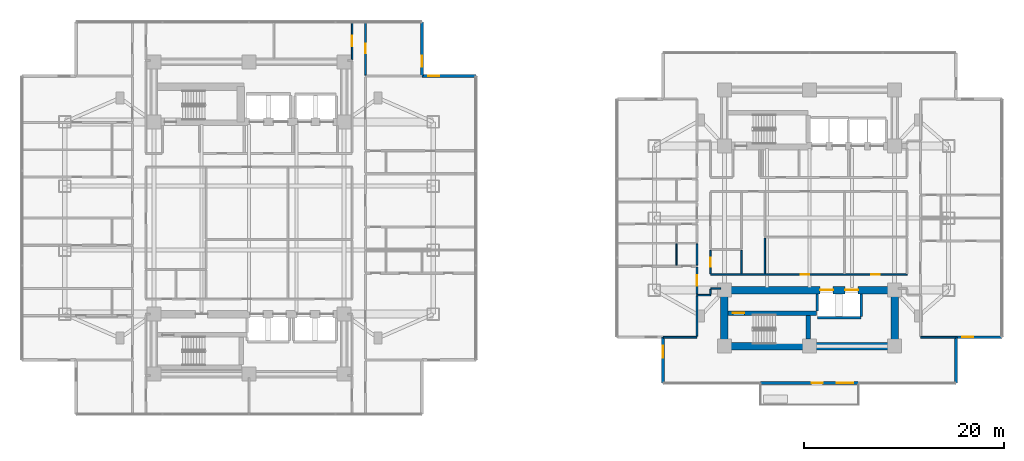
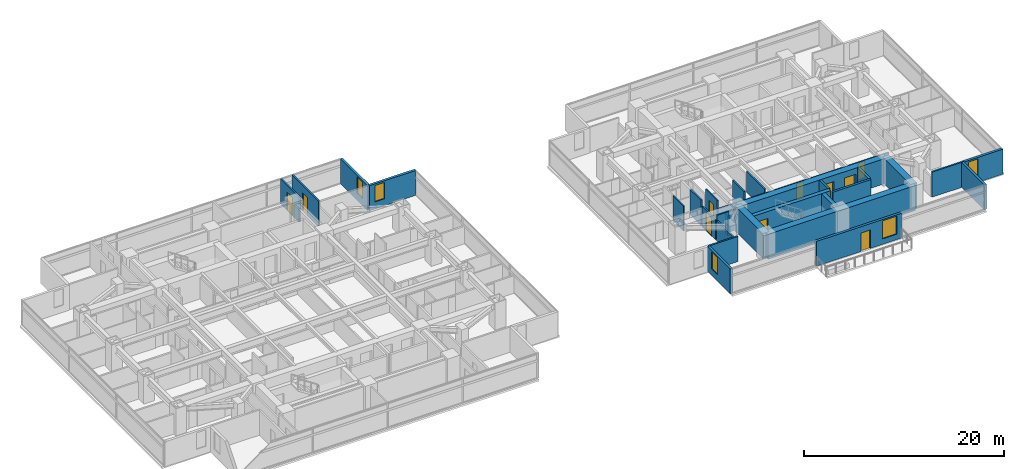
# One storey, part 18 of 27: 30 walls, 10 doors, 5 windows, 15 openings.
"""IFC4 building model written with IfcOpenShell, lengths in metres."""

from ifc_helpers import new_model, si_unit, direction, frame, frame_2d, origin, place, context, subcontext, project, spatial, rectangle, extrude, material, layer, layer_set, type_object, element, fill, save


model = new_model("IFC4")

# Units and contexts
model_context = context("Model", 3, precision=1e-05, world=origin(), true_north=direction((0.0, 1.0)))
body_context = subcontext(model_context, "Body", "Model", "MODEL_VIEW")
ifc_project = project(units=[si_unit("LENGTHUNIT", "METRE"), si_unit("AREAUNIT", "SQUARE_METRE"), si_unit("VOLUMEUNIT", "CUBIC_METRE"), si_unit("PLANEANGLEUNIT", "RADIAN"), si_unit("MASSUNIT", "GRAM", prefix="KILO")], contexts=[model_context])

# Site, building, storey
site_placement = place(None, origin())
site = spatial("IfcSite", under=ifc_project, at=site_placement, CompositionType="ELEMENT")
building_placement = place(site_placement, origin())
building = spatial("IfcBuilding", under=site, at=building_placement, Name="Mirazonda Arch Towers", CompositionType="ELEMENT")
storey_placement = place(building_placement, frame((0.0, 0.0, 42.199951171875)))
storey = spatial("IfcBuildingStorey", under=building, at=storey_placement, Name="L11", CompositionType="ELEMENT", Elevation=42.199951171875)

# Wall, opening, door
ifc_material_1 = material(Name="Concrete C50/60", Category="concrete")
ifc_layer_1 = layer(ifc_material_1, 0.449951171875, Name="WALL-CORE-450")
ifc_layer_set_1 = layer_set([ifc_layer_1], Name="Concrete C50/60")
wall_type_1 = type_object("IfcWallType", Name="WALL-CORE-450", PredefinedType="SHEAR", material=ifc_layer_set_1)
wall_1_placement = place(storey_placement, frame((68.3701171875, 18.5, 0.0), z_axis=(0.0, 0.0, 1.0), x_axis=(1.0, 0.0, 0.0)))
wall_1 = element("IfcWall", 1, at=wall_1_placement, inside=storey, type_object=wall_type_1, Name="L11 Stair Core Shear Wall 015", PredefinedType="SHEAR", context=body_context, shape_type="SweptSolid", body=[
    extrude(rectangle(XDim=8.849853515625, YDim=0.449951171875, at=frame_2d((4.4248046875, 0.0))), origin(), (0.0, 0.0, 1.0), 3.06005859375),
])
opening_1_placement = place(wall_1_placement, frame((0.469970703125, 0.0, 0.0)))
opening_1 = element("IfcOpeningElement", 2, at=opening_1_placement, cuts=wall_1, Name="Opening DR-135", PredefinedType="OPENING", context=body_context, shape_type="SweptSolid", body=[
    extrude(rectangle(XDim=1.14990234375, YDim=2.199951171875, at=frame_2d((0.574951171875, 1.10009765625))), frame((0.0, 0.23486328125, 0.0), z_axis=(0.0, -1.0, 0.0), x_axis=(1.0, 0.0, 0.0)), (0.0, 0.0, 1.0), 0.469970703125),
])
ifc_material_2 = material(Name="Architectural Brushed Steel S355", Category="steel")
door_type_1 = type_object("IfcDoorType", Name="DOOR-STAIR-FD90-1150", OperationType="NOTDEFINED", PredefinedType="DOOR", material=ifc_material_2)
door_1_placement = place(opening_1_placement, origin())
door_1 = element("IfcDoor", 3, at=door_1_placement, inside=storey, type_object=door_type_1, Name="L11 East Protected Stair South Door", OperationType="SINGLE_SWING_LEFT", OverallHeight=2.199951171875, OverallWidth=1.14990234375, PredefinedType="DOOR", context=body_context, shape_type="SweptSolid", body=[
    extrude(rectangle(XDim=1.14990234375, YDim=2.199951171875, at=frame_2d((0.574951171875, 1.10009765625))), frame((0.0, 0.02490234375, 0.0), z_axis=(0.0, -1.0, 0.0), x_axis=(1.0, 0.0, 0.0)), (0.0, 0.0, 1.0), 0.050048828125),
])
fill(opening_1, door_1)

# Walls
wall_2_placement = place(storey_placement, frame((76.360107421875, 15.9150390625, 0.0), z_axis=(0.0, 0.0, 1.0), x_axis=(0.0, 1.0, 0.0)))
element("IfcWall", 4, at=wall_2_placement, inside=storey, type_object=wall_type_1, Name="L11 Stair Core Shear Wall 148", PredefinedType="SHEAR", context=body_context, shape_type="SweptSolid", body=[
    extrude(rectangle(XDim=2.349853515625, YDim=0.449951171875, at=frame_2d((1.1748046875, 0.0))), origin(), (0.0, 0.0, 1.0), 3.06005859375),
])
ifc_material_3 = material(Name="Concrete C60/75", Category="concrete")
ifc_layer_2 = layer(ifc_material_3, 0.75, Name="WALL-CORE-750")
ifc_layer_set_2 = layer_set([ifc_layer_2], Name="Concrete C60/75")
wall_type_2 = type_object("IfcWallType", Name="WALL-CORE-750", PredefinedType="SHEAR", material=ifc_layer_set_2)
wall_3_placement = place(storey_placement, frame((68.0, 15.199951171875, 0.0), z_axis=(0.0, 0.0, 1.0), x_axis=(1.0, 0.0, 0.0)))
element("IfcWall", 5, at=wall_3_placement, inside=storey, type_object=wall_type_2, Name="L11 T2S-S Core Shear Wall", PredefinedType="SHEAR", context=body_context, shape_type="SweptSolid", body=[
    extrude(rectangle(XDim=17.0, YDim=0.75, at=frame_2d((8.5, 0.0))), origin(), (0.0, 0.0, 1.0), 3.06005859375),
])
for number, where, z_axis, x_axis, name in (
    (6, (68.0, 15.199951171875, 0.0), (0.0, 0.0, 1.0), (0.0, 1.0, 0.0), "L11 T2S-W Core Shear Wall"),
    (7, (85.0, 15.199951171875, 0.0), (0.0, 0.0, 1.0), (0.0, 1.0, 0.0), "L11 T2S-E Core Shear Wall"),
):
    element("IfcWall", number, at=place(storey_placement, frame(where, z_axis=z_axis, x_axis=x_axis)), inside=storey, type_object=wall_type_2, Name=name, PredefinedType="SHEAR", context=body_context, shape_type="SweptSolid", body=[
        extrude(rectangle(XDim=5.60009765625, YDim=0.75, at=frame_2d((2.800048828125, 0.0))), origin(), (0.0, 0.0, 1.0), 3.06005859375),
    ])

# Wall, openings, doors
wall_4_placement = place(storey_placement, frame((68.0, 20.800048828125, 0.0), z_axis=(0.0, 0.0, 1.0), x_axis=(1.0, 0.0, 0.0)))
wall_4 = element("IfcWall", 8, at=wall_4_placement, inside=storey, type_object=wall_type_2, Name="L11 T2S-N Core Shear Wall", PredefinedType="SHEAR", context=body_context, shape_type="SweptSolid", body=[
    extrude(rectangle(XDim=17.0, YDim=0.75, at=frame_2d((8.5, 0.0))), origin(), (0.0, 0.0, 1.0), 3.06005859375),
])
opening_2_placement = place(wall_4_placement, frame((9.550048828125, 0.0, 0.0)))
opening_2 = element("IfcOpeningElement", 9, at=opening_2_placement, cuts=wall_4, Name="Opening LD-111", PredefinedType="OPENING", context=body_context, shape_type="SweptSolid", body=[
    extrude(rectangle(XDim=1.300048828125, YDim=2.300048828125, at=frame_2d((0.64990234375, 1.14990234375))), frame((0.0, 0.385009765625, 0.0), z_axis=(0.0, -1.0, 0.0), x_axis=(1.0, 0.0, 0.0)), (0.0, 0.0, 1.0), 0.77001953125),
])
opening_3_placement = place(wall_4_placement, frame((12.050048828125, 0.0, 0.0)))
opening_3 = element("IfcOpeningElement", 10, at=opening_3_placement, cuts=wall_4, Name="Opening LD-111", PredefinedType="OPENING", context=body_context, shape_type="SweptSolid", body=[
    extrude(rectangle(XDim=1.300048828125, YDim=2.300048828125, at=frame_2d((0.64990234375, 1.14990234375))), frame((0.0, 0.385009765625, 0.0), z_axis=(0.0, -1.0, 0.0), x_axis=(1.0, 0.0, 0.0)), (0.0, 0.0, 1.0), 0.77001953125),
])
door_type_2 = type_object("IfcDoorType", Name="DOOR-LIFT-LAND-1300", OperationType="NOTDEFINED", PredefinedType="DOOR", material=ifc_material_2)
door_2_placement = place(opening_2_placement, origin())
door_2 = element("IfcDoor", 11, at=door_2_placement, inside=storey, type_object=door_type_2, Name="L11 Lift Landing Sliding Door PL-T2H1", OperationType="DOUBLE_DOOR_SLIDING", OverallHeight=2.300048828125, OverallWidth=1.300048828125, PredefinedType="DOOR", context=body_context, shape_type="SweptSolid", body=[
    extrude(rectangle(XDim=1.300048828125, YDim=2.300048828125, at=frame_2d((0.64990234375, 1.14990234375))), frame((0.0, 0.02490234375, 0.0), z_axis=(0.0, -1.0, 0.0), x_axis=(1.0, 0.0, 0.0)), (0.0, 0.0, 1.0), 0.050048828125),
])
fill(opening_2, door_2)
door_3_placement = place(opening_3_placement, origin())
door_3 = element("IfcDoor", 12, at=door_3_placement, inside=storey, type_object=door_type_2, Name="L11 Lift Landing Sliding Door PL-T2H2", OperationType="DOUBLE_DOOR_SLIDING", OverallHeight=2.300048828125, OverallWidth=1.300048828125, PredefinedType="DOOR", context=body_context, shape_type="SweptSolid", body=[
    extrude(rectangle(XDim=1.300048828125, YDim=2.300048828125, at=frame_2d((0.64990234375, 1.14990234375))), frame((0.0, 0.02490234375, 0.0), z_axis=(0.0, -1.0, 0.0), x_axis=(1.0, 0.0, 0.0)), (0.0, 0.0, 1.0), 0.050048828125),
])
fill(opening_3, door_3)

# Wall, opening, window
ifc_material_4 = material(Name="Precast Concrete C40/50", Category="concrete")
ifc_layer_3 = layer(ifc_material_4, 0.280029296875, Name="WALL-EXT-WALL-280")
ifc_layer_set_3 = layer_set([ifc_layer_3], Name="Precast Concrete C40/50")
wall_type_3 = type_object("IfcWallType", Name="WALL-EXT-WALL-280", PredefinedType="SOLIDWALL", material=ifc_layer_set_3)
wall_5_placement = place(storey_placement, frame((37.780029296875, 42.18798828125, 0.0), z_axis=(0.0, 0.0, 1.0), x_axis=(0.0, 1.0, 0.0)))
wall_5 = element("IfcWall", 13, at=wall_5_placement, inside=storey, type_object=wall_type_3, Name="L11 T1 Notched NE Corner Wall WL-L11-T1-CNE", PredefinedType="SOLIDWALL", context=body_context, shape_type="SweptSolid", body=[
    extrude(rectangle(XDim=5.380126953125, YDim=0.280029296875, at=frame_2d((2.68994140625, 0.0))), origin(), (0.0, 0.0, 1.0), 3.0400390625),
])
opening_4_placement = place(wall_5_placement, frame((0.949951171875, 0.0, 0.85009765625)))
opening_4 = element("IfcOpeningElement", 14, at=opening_4_placement, cuts=wall_5, Name="Opening WN-108", PredefinedType="OPENING", context=body_context, shape_type="SweptSolid", body=[
    extrude(rectangle(XDim=1.10009765625, YDim=2.0, at=frame_2d((0.550048828125, 1.0))), frame((0.0, 0.14990234375, 0.0), z_axis=(0.0, -1.0, 0.0), x_axis=(1.0, 0.0, 0.0)), (0.0, 0.0, 1.0), 0.300048828125),
])
ifc_material_5 = material(Name="Insulated Low-E Solar Glass", Category="glass")
window_type_1 = type_object("IfcWindowType", Name="WIN-NOTCH-1100x2000", PartitioningType="SINGLE_PANEL", PredefinedType="WINDOW", material=ifc_material_5)
window_1_placement = place(opening_4_placement, origin())
window_1 = element("IfcWindow", 15, at=window_1_placement, inside=storey, type_object=window_type_1, Name="L11 Punched Facade Window WN-L11-T1-CNE", OverallHeight=2.0, OverallWidth=1.10009765625, PartitioningType="SINGLE_PANEL", PredefinedType="WINDOW", context=body_context, shape_type="SweptSolid", body=[
    extrude(rectangle(XDim=1.10009765625, YDim=2.0, at=frame_2d((0.550048828125, 1.0))), frame((0.0, 0.030029296875, 0.0), z_axis=(0.0, -1.0, 0.0), x_axis=(1.0, 0.0, 0.0)), (0.0, 0.0, 1.0), 0.06005859375),
])
fill(opening_4, window_1)

wall_6_placement = place(storey_placement, frame((43.159912109375, 42.18798828125, 0.0), z_axis=(0.0, 0.0, 1.0), x_axis=(-1.0, 0.0, 0.0)))
wall_6 = element("IfcWall", 16, at=wall_6_placement, inside=storey, type_object=wall_type_3, Name="L11 T1 Corner Notch Return Wall WL-L11-T1-CNE2", PredefinedType="SOLIDWALL", context=body_context, shape_type="SweptSolid", body=[
    extrude(rectangle(XDim=5.3798828125, YDim=0.280029296875, at=frame_2d((2.68994140625, 0.0))), origin(), (0.0, 0.0, 1.0), 3.0400390625),
])
opening_5_placement = place(wall_6_placement, frame((3.6298828125, 0.0, 0.85009765625)))
opening_5 = element("IfcOpeningElement", 17, at=opening_5_placement, cuts=wall_6, Name="Opening WN-108", PredefinedType="OPENING", context=body_context, shape_type="SweptSolid", body=[
    extrude(rectangle(XDim=1.10009765625, YDim=2.0, at=frame_2d((0.550048828125, 1.0))), frame((0.0, 0.14990234375, 0.0), z_axis=(0.0, -1.0, 0.0), x_axis=(1.0, 0.0, 0.0)), (0.0, 0.0, 1.0), 0.300048828125),
])
window_2_placement = place(opening_5_placement, origin())
window_2 = element("IfcWindow", 18, at=window_2_placement, inside=storey, type_object=window_type_1, Name="L11 Punched Facade Window WN-L11-T1-CNE2", OverallHeight=2.0, OverallWidth=1.10009765625, PartitioningType="SINGLE_PANEL", PredefinedType="WINDOW", context=body_context, shape_type="SweptSolid", body=[
    extrude(rectangle(XDim=1.10009765625, YDim=2.0, at=frame_2d((0.550048828125, 1.0))), frame((0.0, 0.030029296875, 0.0), z_axis=(0.0, -1.0, 0.0), x_axis=(1.0, 0.0, 0.0)), (0.0, 0.0, 1.0), 0.06005859375),
])
fill(opening_5, window_2)

# Wall, openings, door, window
wall_7_placement = place(storey_placement, frame((81.39990234375, 11.520263671875, 0.0), z_axis=(0.0, 0.0, 1.0), x_axis=(-1.0, 0.0, 0.0)))
wall_7 = element("IfcWall", 19, at=wall_7_placement, inside=storey, type_object=wall_type_3, Name="L11 T2 Sky-Terrace Threshold Wall WL-TERR-L11-T2", PredefinedType="SOLIDWALL", context=body_context, shape_type="SweptSolid", body=[
    extrude(rectangle(XDim=9.7998046875, YDim=0.280029296875, at=frame_2d((4.89990234375, 0.0))), origin(), (0.0, 0.0, 1.0), 3.02001953125),
])
opening_6_placement = place(wall_7_placement, frame((0.550048828125, 0.0, 0.669921875)))
opening_6 = element("IfcOpeningElement", 20, at=opening_6_placement, cuts=wall_7, Name="Opening WN-115", PredefinedType="OPENING", context=body_context, shape_type="SweptSolid", body=[
    extrude(rectangle(XDim=1.64990234375, YDim=2.199951171875, at=frame_2d((0.824951171875, 1.10009765625))), frame((0.0, 0.14990234375, 0.0), z_axis=(0.0, -1.0, 0.0), x_axis=(1.0, 0.0, 0.0)), (0.0, 0.0, 1.0), 0.300048828125),
])
opening_7_placement = place(wall_7_placement, frame((3.60009765625, 0.0, 0.0)))
opening_7 = element("IfcOpeningElement", 21, at=opening_7_placement, cuts=wall_7, Name="Opening DR-114", PredefinedType="OPENING", context=body_context, shape_type="SweptSolid", body=[
    extrude(rectangle(XDim=1.10009765625, YDim=2.25, at=frame_2d((0.550048828125, 1.125))), frame((0.0, 0.14990234375, 0.0), z_axis=(0.0, -1.0, 0.0), x_axis=(1.0, 0.0, 0.0)), (0.0, 0.0, 1.0), 0.300048828125),
])
ifc_material_6 = material(Name="Architectural Hardwood Timber", Category="wood")
door_type_3 = type_object("IfcDoorType", Name="DOOR-TERR-EXT-1100", OperationType="NOTDEFINED", PredefinedType="DOOR", material=ifc_material_6)
door_4_placement = place(opening_7_placement, origin())
door_4 = element("IfcDoor", 22, at=door_4_placement, inside=storey, type_object=door_type_3, Name="L11 Exterior Door DR-TERR-L11-T2", OperationType="SINGLE_SWING_LEFT", OverallHeight=2.25, OverallWidth=1.10009765625, PredefinedType="DOOR", context=body_context, shape_type="SweptSolid", body=[
    extrude(rectangle(XDim=1.10009765625, YDim=2.25, at=frame_2d((0.550048828125, 1.125))), frame((0.0, 0.02490234375, 0.0), z_axis=(0.0, -1.0, 0.0), x_axis=(1.0, 0.0, 0.0)), (0.0, 0.0, 1.0), 0.050048828125),
])
fill(opening_7, door_4)
window_type_2 = type_object("IfcWindowType", Name="WIN-RES-1650x2200", PartitioningType="SINGLE_PANEL", PredefinedType="WINDOW", material=ifc_material_5)
window_3_placement = place(opening_6_placement, origin())
window_3 = element("IfcWindow", 23, at=window_3_placement, inside=storey, type_object=window_type_2, Name="L11 Punched Facade Window WN-TERR-L11-T2", OverallHeight=2.199951171875, OverallWidth=1.64990234375, PartitioningType="SINGLE_PANEL", PredefinedType="WINDOW", context=body_context, shape_type="SweptSolid", body=[
    extrude(rectangle(XDim=1.64990234375, YDim=2.199951171875, at=frame_2d((0.824951171875, 1.10009765625))), frame((0.0, 0.030029296875, 0.0), z_axis=(0.0, -1.0, 0.0), x_axis=(1.0, 0.0, 0.0)), (0.0, 0.0, 1.0), 0.06005859375),
])
fill(opening_6, window_3)

# Wall, opening, window
wall_8_placement = place(storey_placement, frame((61.8720703125, 16.10009765625, 0.0), z_axis=(0.0, 0.0, 1.0), x_axis=(0.0, -1.0, 0.0)))
wall_8 = element("IfcWall", 24, at=wall_8_placement, inside=storey, type_object=wall_type_3, Name="L11 T2 Notched SW Corner Wall WL-L11-T2-CSW", PredefinedType="SOLIDWALL", context=body_context, shape_type="SweptSolid", body=[
    extrude(rectangle(XDim=4.579833984375, YDim=0.280029296875, at=frame_2d((2.2900390625, 0.0))), origin(), (0.0, 0.0, 1.0), 3.0400390625),
])
opening_8_placement = place(wall_8_placement, frame((0.85009765625, 0.0, 0.7900390625)))
opening_8 = element("IfcOpeningElement", 25, at=opening_8_placement, cuts=wall_8, Name="Opening WN-122", PredefinedType="OPENING", context=body_context, shape_type="SweptSolid", body=[
    extrude(rectangle(XDim=1.199951171875, YDim=2.10009765625, at=frame_2d((0.60009765625, 1.050048828125))), frame((0.0, 0.14990234375, 0.0), z_axis=(0.0, -1.0, 0.0), x_axis=(1.0, 0.0, 0.0)), (0.0, 0.0, 1.0), 0.300048828125),
])
window_type_3 = type_object("IfcWindowType", Name="WIN-HTL-1200x2100", PartitioningType="SINGLE_PANEL", PredefinedType="WINDOW", material=ifc_material_5)
window_4_placement = place(opening_8_placement, origin())
window_4 = element("IfcWindow", 26, at=window_4_placement, inside=storey, type_object=window_type_3, Name="L11 Punched Facade Window WN-L11-T2-CSW", OverallHeight=2.10009765625, OverallWidth=1.199951171875, PartitioningType="SINGLE_PANEL", PredefinedType="WINDOW", context=body_context, shape_type="SweptSolid", body=[
    extrude(rectangle(XDim=1.199951171875, YDim=2.10009765625, at=frame_2d((0.60009765625, 1.050048828125))), frame((0.0, 0.030029296875, 0.0), z_axis=(0.0, -1.0, 0.0), x_axis=(1.0, 0.0, 0.0)), (0.0, 0.0, 1.0), 0.06005859375),
])
fill(opening_8, window_4)

wall_9_placement = place(storey_placement, frame((91.1279296875, 16.10009765625, 0.0), z_axis=(0.0, 0.0, 1.0), x_axis=(1.0, 0.0, 0.0)))
wall_9 = element("IfcWall", 27, at=wall_9_placement, inside=storey, type_object=wall_type_3, Name="L11 T2 Corner Notch Return Wall WL-L11-T2-CSE1", PredefinedType="SOLIDWALL", context=body_context, shape_type="SweptSolid", body=[
    extrude(rectangle(XDim=4.580078125, YDim=0.280029296875, at=frame_2d((2.2900390625, 0.0))), origin(), (0.0, 0.0, 1.0), 3.0400390625),
])
opening_9_placement = place(wall_9_placement, frame((0.64990234375, 0.0, 0.85009765625)))
opening_9 = element("IfcOpeningElement", 28, at=opening_9_placement, cuts=wall_9, Name="Opening WN-108", PredefinedType="OPENING", context=body_context, shape_type="SweptSolid", body=[
    extrude(rectangle(XDim=1.10009765625, YDim=2.0, at=frame_2d((0.550048828125, 1.0))), frame((0.0, 0.14990234375, 0.0), z_axis=(0.0, -1.0, 0.0), x_axis=(1.0, 0.0, 0.0)), (0.0, 0.0, 1.0), 0.300048828125),
])
window_5_placement = place(opening_9_placement, origin())
window_5 = element("IfcWindow", 29, at=window_5_placement, inside=storey, type_object=window_type_1, Name="L11 Punched Facade Window WN-L11-T2-CSE1", OverallHeight=2.0, OverallWidth=1.10009765625, PartitioningType="SINGLE_PANEL", PredefinedType="WINDOW", context=body_context, shape_type="SweptSolid", body=[
    extrude(rectangle(XDim=1.10009765625, YDim=2.0, at=frame_2d((0.550048828125, 1.0))), frame((0.0, 0.030029296875, 0.0), z_axis=(0.0, -1.0, 0.0), x_axis=(1.0, 0.0, 0.0)), (0.0, 0.0, 1.0), 0.06005859375),
])
fill(opening_9, window_5)

# Walls
wall_10_placement = place(storey_placement, frame((91.1279296875, 11.520263671875, 0.0), z_axis=(0.0, 0.0, 1.0), x_axis=(0.0, 1.0, 0.0)))
element("IfcWall", 30, at=wall_10_placement, inside=storey, type_object=wall_type_3, Name="L11 T2 Corner Notch Return Wall WL-L11-T2-CSE2", PredefinedType="SOLIDWALL", context=body_context, shape_type="SweptSolid", body=[
    extrude(rectangle(XDim=4.579833984375, YDim=0.280029296875, at=frame_2d((2.2900390625, 0.0))), origin(), (0.0, 0.0, 1.0), 3.0400390625),
])
ifc_material_7 = material(Name="Fire-Rated Gypsum Stud Partition")
ifc_layer_4 = layer(ifc_material_7, 0.14990234375, Name="WALL-PART-CORR-150")
ifc_layer_set_4 = layer_set([ifc_layer_4], Name="Fire-Rated Gypsum Stud Partition")
wall_type_4 = type_object("IfcWallType", Name="WALL-PART-CORR-150", PredefinedType="PARTITIONING", material=ifc_layer_set_4)
wall_11_placement = place(storey_placement, frame((65.25, 20.300048828125, 0.0), z_axis=(0.0, 0.0, 1.0), x_axis=(1.0, 0.0, 0.0)))
element("IfcWall", 31, at=wall_11_placement, inside=storey, type_object=wall_type_4, Name="L11 Interior Partition 017", PredefinedType="PARTITIONING", context=body_context, shape_type="SweptSolid", body=[
    extrude(rectangle(XDim=1.3701171875, YDim=0.14990234375, at=frame_2d((0.68505859375, 0.0))), origin(), (0.0, 0.0, 1.0), 3.06005859375),
])
wall_12_placement = place(storey_placement, frame((66.6201171875, 20.949951171875, 0.0), z_axis=(0.0, 0.0, 1.0), x_axis=(1.0, 0.0, 0.0)))
element("IfcWall", 32, at=wall_12_placement, inside=storey, type_object=wall_type_4, Name="L11 Interior Partition 020", PredefinedType="PARTITIONING", context=body_context, shape_type="SweptSolid", body=[
    extrude(rectangle(XDim=1.009765625, YDim=0.14990234375, at=frame_2d((0.5048828125, 0.0))), origin(), (0.0, 0.0, 1.0), 2.4521484375),
])

# Wall, openings, doors
wall_13_placement = place(storey_placement, frame((66.6201171875, 22.35009765625, 0.0), z_axis=(0.0, 0.0, 1.0), x_axis=(1.0, 0.0, 0.0)))
wall_13 = element("IfcWall", 33, at=wall_13_placement, inside=storey, type_object=wall_type_4, Name="L11 Interior Partition 023", PredefinedType="PARTITIONING", context=body_context, shape_type="SweptSolid", body=[
    extrude(rectangle(XDim=19.6298828125, YDim=0.14990234375, at=frame_2d((9.81494140625, 0.0))), origin(), (0.0, 0.0, 1.0), 2.125),
])
opening_10_placement = place(wall_13_placement, frame((8.98095703125, 0.0, 0.0)))
opening_10 = element("IfcOpeningElement", 34, at=opening_10_placement, cuts=wall_13, Name="Opening DR-128", PredefinedType="OPENING", context=body_context, shape_type="SweptSolid", body=[
    extrude(rectangle(XDim=0.85009765625, YDim=2.010009765625, at=frame_2d((0.425048828125, 1.0048828125))), frame((0.0, 0.0849609375, 0.0), z_axis=(0.0, -1.0, 0.0), x_axis=(1.0, 0.0, 0.0)), (0.0, 0.0, 1.0), 0.169921875),
])
opening_11_placement = place(wall_13_placement, frame((16.06103515625, 0.0, 0.0)))
opening_11 = element("IfcOpeningElement", 35, at=opening_11_placement, cuts=wall_13, Name="Opening DR-128", PredefinedType="OPENING", context=body_context, shape_type="SweptSolid", body=[
    extrude(rectangle(XDim=0.85009765625, YDim=2.010009765625, at=frame_2d((0.425048828125, 1.0048828125))), frame((0.0, 0.0849609375, 0.0), z_axis=(0.0, -1.0, 0.0), x_axis=(1.0, 0.0, 0.0)), (0.0, 0.0, 1.0), 0.169921875),
])
door_type_4 = type_object("IfcDoorType", Name="DOOR-RISER-FD60-850", OperationType="NOTDEFINED", PredefinedType="DOOR", material=ifc_material_2)
door_5_placement = place(opening_10_placement, origin())
door_5 = element("IfcDoor", 36, at=door_5_placement, inside=storey, type_object=door_type_4, Name="L11 Executive Club Lounge Door", OperationType="SINGLE_SWING_RIGHT", OverallHeight=2.010009765625, OverallWidth=0.85009765625, PredefinedType="DOOR", context=body_context, shape_type="SweptSolid", body=[
    extrude(rectangle(XDim=0.85009765625, YDim=2.010009765625, at=frame_2d((0.425048828125, 1.0048828125))), frame((0.0, 0.02490234375, 0.0), z_axis=(0.0, -1.0, 0.0), x_axis=(1.0, 0.0, 0.0)), (0.0, 0.0, 1.0), 0.050048828125),
])
fill(opening_10, door_5)
door_6_placement = place(opening_11_placement, origin())
door_6 = element("IfcDoor", 37, at=door_6_placement, inside=storey, type_object=door_type_4, Name="L11 Business Reading Study Door", OperationType="SINGLE_SWING_LEFT", OverallHeight=2.010009765625, OverallWidth=0.85009765625, PredefinedType="DOOR", context=body_context, shape_type="SweptSolid", body=[
    extrude(rectangle(XDim=0.85009765625, YDim=2.010009765625, at=frame_2d((0.425048828125, 1.0048828125))), frame((0.0, 0.02490234375, 0.0), z_axis=(0.0, -1.0, 0.0), x_axis=(1.0, 0.0, 0.0)), (0.0, 0.0, 1.0), 0.050048828125),
])
fill(opening_11, door_6)

# Wall, opening, door
wall_14_placement = place(storey_placement, frame((30.800048828125, 43.8349609375, 0.0), z_axis=(0.0, 0.0, 1.0), x_axis=(0.0, 1.0, 0.0)))
wall_14 = element("IfcWall", 38, at=wall_14_placement, inside=storey, type_object=wall_type_4, Name="L11 Interior Partition 112", PredefinedType="PARTITIONING", context=body_context, shape_type="SweptSolid", body=[
    extrude(rectangle(XDim=3.733154296875, YDim=0.14990234375, at=frame_2d((1.86669921875, 0.0))), origin(), (0.0, 0.0, 1.0), 3.06005859375),
])
opening_12_placement = place(wall_14_placement, frame((1.341552734375, 0.0, 0.0)))
opening_12 = element("IfcOpeningElement", 39, at=opening_12_placement, cuts=wall_14, Name="Opening DR-121", PredefinedType="OPENING", context=body_context, shape_type="SweptSolid", body=[
    extrude(rectangle(XDim=1.050048828125, YDim=2.199951171875, at=frame_2d((0.52490234375, 1.10009765625))), frame((0.0, 0.0849609375, 0.0), z_axis=(0.0, -1.0, 0.0), x_axis=(1.0, 0.0, 0.0)), (0.0, 0.0, 1.0), 0.169921875),
])
door_type_5 = type_object("IfcDoorType", Name="DOOR-SUITE-FD60-1050", OperationType="NOTDEFINED", PredefinedType="DOOR", material=ifc_material_2)
door_7_placement = place(opening_12_placement, origin())
door_7 = element("IfcDoor", 40, at=door_7_placement, inside=storey, type_object=door_type_5, Name="L11 North Bay Sunroom East Door", OperationType="SINGLE_SWING_RIGHT", OverallHeight=2.199951171875, OverallWidth=1.050048828125, PredefinedType="DOOR", context=body_context, shape_type="SweptSolid", body=[
    extrude(rectangle(XDim=1.050048828125, YDim=2.199951171875, at=frame_2d((0.52490234375, 1.10009765625))), frame((0.0, 0.02490234375, 0.0), z_axis=(0.0, -1.0, 0.0), x_axis=(1.0, 0.0, 0.0)), (0.0, 0.0, 1.0), 0.050048828125),
])
fill(opening_12, door_7)

# Wall
wall_15_placement = place(storey_placement, frame((66.6201171875, 20.385009765625, 0.0), z_axis=(0.0, 0.0, 1.0), x_axis=(0.0, 1.0, 0.0)))
element("IfcWall", 41, at=wall_15_placement, inside=storey, type_object=wall_type_4, Name="L11 Interior Partition 136", PredefinedType="PARTITIONING", context=body_context, shape_type="SweptSolid", body=[
    extrude(rectangle(XDim=0.47998046875, YDim=0.14990234375, at=frame_2d((0.239990234375, 0.0))), origin(), (0.0, 0.0, 1.0), 2.4521484375),
])

# Wall, opening, door
wall_16_placement = place(storey_placement, frame((66.6201171875, 22.43505859375, 0.0), z_axis=(0.0, 0.0, 1.0), x_axis=(0.0, 1.0, 0.0)))
wall_16 = element("IfcWall", 42, at=wall_16_placement, inside=storey, type_object=wall_type_4, Name="L11 Interior Partition 137", PredefinedType="PARTITIONING", context=body_context, shape_type="SweptSolid", body=[
    extrude(rectangle(XDim=2.329833984375, YDim=0.14990234375, at=frame_2d((1.1650390625, 0.0))), origin(), (0.0, 0.0, 1.0), 3.06005859375),
])
opening_13_placement = place(wall_16_placement, frame((0.715087890625, 0.0, 0.0)))
opening_13 = element("IfcOpeningElement", 43, at=opening_13_placement, cuts=wall_16, Name="Opening DR-120", PredefinedType="OPENING", context=body_context, shape_type="SweptSolid", body=[
    extrude(rectangle(XDim=0.89990234375, YDim=2.10009765625, at=frame_2d((0.449951171875, 1.050048828125))), frame((0.0, 0.0849609375, 0.0), z_axis=(0.0, -1.0, 0.0), x_axis=(1.0, 0.0, 0.0)), (0.0, 0.0, 1.0), 0.169921875),
])
door_type_6 = type_object("IfcDoorType", Name="DOOR-WC-900", OperationType="NOTDEFINED", PredefinedType="DOOR", material=ifc_material_2)
door_8_placement = place(opening_13_placement, origin())
door_8 = element("IfcDoor", 44, at=door_8_placement, inside=storey, type_object=door_type_6, Name="L11 Tower 2 Common Accessible WC Door", OperationType="SINGLE_SWING_RIGHT", OverallHeight=2.10009765625, OverallWidth=0.89990234375, PredefinedType="DOOR", context=body_context, shape_type="SweptSolid", body=[
    extrude(rectangle(XDim=0.89990234375, YDim=2.10009765625, at=frame_2d((0.449951171875, 1.050048828125))), frame((0.0, 0.02490234375, 0.0), z_axis=(0.0, -1.0, 0.0), x_axis=(1.0, 0.0, 0.0)), (0.0, 0.0, 1.0), 0.050048828125),
])
fill(opening_13, door_8)

# Walls
wall_17_placement = place(storey_placement, frame((69.723388671875, 22.43505859375, 0.0), z_axis=(0.0, 0.0, 1.0), x_axis=(0.0, 1.0, 0.0)))
element("IfcWall", 45, at=wall_17_placement, inside=storey, type_object=wall_type_4, Name="L11 Interior Partition 141", PredefinedType="PARTITIONING", context=body_context, shape_type="SweptSolid", body=[
    extrude(rectangle(XDim=2.329833984375, YDim=0.14990234375, at=frame_2d((1.1650390625, 0.0))), origin(), (0.0, 0.0, 1.0), 3.06005859375),
])
wall_18_placement = place(storey_placement, frame((72.050048828125, 22.43505859375, 0.0), z_axis=(0.0, 0.0, 1.0), x_axis=(0.0, 1.0, 0.0)))
element("IfcWall", 46, at=wall_18_placement, inside=storey, type_object=wall_type_4, Name="L11 Interior Partition 145", PredefinedType="PARTITIONING", context=body_context, shape_type="SweptSolid", body=[
    extrude(rectangle(XDim=3.56494140625, YDim=0.14990234375, at=frame_2d((1.782470703125, 0.0))), origin(), (0.0, 0.0, 1.0), 2.589111328125),
])
ifc_material_8 = material(Name="Fire-Rated Gypsum Twin-Stud Assembly")
ifc_layer_5 = layer(ifc_material_8, 0.179931640625, Name="WALL-PART-DEMISE-180")
ifc_layer_set_5 = layer_set([ifc_layer_5], Name="Fire-Rated Gypsum Twin-Stud Assembly")
wall_type_5 = type_object("IfcWallType", Name="WALL-PART-DEMISE-180", PredefinedType="PARTITIONING", material=ifc_layer_set_5)
wall_19_placement = place(storey_placement, frame((61.89208984375, 16.10009765625, 0.0), z_axis=(0.0, 0.0, 1.0), x_axis=(1.0, 0.0, 0.0)))
element("IfcWall", 47, at=wall_19_placement, inside=storey, type_object=wall_type_5, Name="L11 Interior Partition 008", PredefinedType="PARTITIONING", context=body_context, shape_type="SweptSolid", body=[
    extrude(rectangle(XDim=3.35791015625, YDim=0.179931640625, at=frame_2d((1.678955078125, 0.0))), origin(), (0.0, 0.0, 1.0), 3.06005859375),
])
wall_20_placement = place(storey_placement, frame((87.60009765625, 16.10009765625, 0.0), z_axis=(0.0, 0.0, 1.0), x_axis=(1.0, 0.0, 0.0)))
element("IfcWall", 48, at=wall_20_placement, inside=storey, type_object=wall_type_5, Name="L11 Interior Partition 009", PredefinedType="PARTITIONING", context=body_context, shape_type="SweptSolid", body=[
    extrude(rectangle(XDim=3.5078125, YDim=0.179931640625, at=frame_2d((1.75390625, 0.0))), origin(), (0.0, 0.0, 1.0), 3.06005859375),
])

# Wall, opening, door
wall_21_placement = place(storey_placement, frame((32.139892578125, 42.2880859375, 0.0), z_axis=(0.0, 0.0, 1.0), x_axis=(0.0, 1.0, 0.0)))
wall_21 = element("IfcWall", 49, at=wall_21_placement, inside=storey, type_object=wall_type_5, Name="L11 Interior Partition 120", PredefinedType="PARTITIONING", context=body_context, shape_type="SweptSolid", body=[
    extrude(rectangle(XDim=5.280029296875, YDim=0.179931640625, at=frame_2d((2.64013671875, 0.0))), origin(), (0.0, 0.0, 1.0), 3.06005859375),
])
opening_14_placement = place(wall_21_placement, frame((2.1650390625, 0.0, 0.0)))
opening_14 = element("IfcOpeningElement", 50, at=opening_14_placement, cuts=wall_21, Name="Opening DR-104", PredefinedType="OPENING", context=body_context, shape_type="SweptSolid", body=[
    extrude(rectangle(XDim=0.949951171875, YDim=2.14990234375, at=frame_2d((0.47509765625, 1.074951171875))), frame((0.0, 0.099853515625, 0.0), z_axis=(0.0, -1.0, 0.0), x_axis=(1.0, 0.0, 0.0)), (0.0, 0.0, 1.0), 0.199951171875),
])
door_type_7 = type_object("IfcDoorType", Name="DOOR-ROOM-950", OperationType="NOTDEFINED", PredefinedType="DOOR", material=ifc_material_2)
door_9_placement = place(opening_14_placement, origin())
door_9 = element("IfcDoor", 51, at=door_9_placement, inside=storey, type_object=door_type_7, Name="L11 North Bay Sunroom Alcove East Door", OperationType="SINGLE_SWING_RIGHT", OverallHeight=2.14990234375, OverallWidth=0.949951171875, PredefinedType="DOOR", context=body_context, shape_type="SweptSolid", body=[
    extrude(rectangle(XDim=0.949951171875, YDim=2.14990234375, at=frame_2d((0.47509765625, 1.074951171875))), frame((0.0, 0.02490234375, 0.0), z_axis=(0.0, -1.0, 0.0), x_axis=(1.0, 0.0, 0.0)), (0.0, 0.0, 1.0), 0.050048828125),
])
fill(opening_14, door_9)

# Wall
wall_22_placement = place(storey_placement, frame((65.25, 16.199951171875, 0.0), z_axis=(0.0, 0.0, 1.0), x_axis=(0.0, 1.0, 0.0)))
element("IfcWall", 52, at=wall_22_placement, inside=storey, type_object=wall_type_5, Name="L11 Interior Partition 128", PredefinedType="PARTITIONING", context=body_context, shape_type="SweptSolid", body=[
    extrude(rectangle(XDim=4.01513671875, YDim=0.179931640625, at=frame_2d((2.007568359375, 0.0))), origin(), (0.0, 0.0, 1.0), 2.43603515625),
])

# Wall, opening, door
wall_23_placement = place(storey_placement, frame((65.25, 20.385009765625, 0.0), z_axis=(0.0, 0.0, 1.0), x_axis=(0.0, 1.0, 0.0)))
wall_23 = element("IfcWall", 53, at=wall_23_placement, inside=storey, type_object=wall_type_5, Name="L11 Interior Partition 129", PredefinedType="PARTITIONING", context=body_context, shape_type="SweptSolid", body=[
    extrude(rectangle(XDim=2.70703125, YDim=0.179931640625, at=frame_2d((1.353515625, 0.0))), origin(), (0.0, 0.0, 1.0), 2.4521484375),
])
opening_15_placement = place(wall_23_placement, frame((0.82861328125, 0.0, 0.0)))
opening_15 = element("IfcOpeningElement", 54, at=opening_15_placement, cuts=wall_23, Name="Opening DR-121", PredefinedType="OPENING", context=body_context, shape_type="SweptSolid", body=[
    extrude(rectangle(XDim=1.050048828125, YDim=2.199951171875, at=frame_2d((0.52490234375, 1.10009765625))), frame((0.0, 0.099853515625, 0.0), z_axis=(0.0, -1.0, 0.0), x_axis=(1.0, 0.0, 0.0)), (0.0, 0.0, 1.0), 0.199951171875),
])
door_10_placement = place(opening_15_placement, origin())
door_10 = element("IfcDoor", 55, at=door_10_placement, inside=storey, type_object=door_type_5, Name="L11 King Hotel Guestroom 1 Door", OperationType="SINGLE_SWING_LEFT", OverallHeight=2.199951171875, OverallWidth=1.050048828125, PredefinedType="DOOR", context=body_context, shape_type="SweptSolid", body=[
    extrude(rectangle(XDim=1.050048828125, YDim=2.199951171875, at=frame_2d((0.52490234375, 1.10009765625))), frame((0.0, 0.02490234375, 0.0), z_axis=(0.0, -1.0, 0.0), x_axis=(1.0, 0.0, 0.0)), (0.0, 0.0, 1.0), 0.050048828125),
])
fill(opening_15, door_10)

# Walls
wall_24_placement = place(storey_placement, frame((65.25, 23.2919921875, 0.0), z_axis=(0.0, 0.0, 1.0), x_axis=(0.0, 1.0, 0.0)))
element("IfcWall", 56, at=wall_24_placement, inside=storey, type_object=wall_type_5, Name="L11 Interior Partition 130", PredefinedType="PARTITIONING", context=body_context, shape_type="SweptSolid", body=[
    extrude(rectangle(XDim=2.12744140625, YDim=0.179931640625, at=frame_2d((1.063720703125, 0.0))), origin(), (0.0, 0.0, 1.0), 3.06005859375),
])
ifc_material_9 = material(Name="Acoustic Fire-Rated Gypsum Partition")
ifc_layer_6 = layer(ifc_material_9, 0.125, Name="WALL-PART-UNIT-125")
ifc_layer_set_6 = layer_set([ifc_layer_6], Name="Acoustic Fire-Rated Gypsum Partition")
wall_type_6 = type_object("IfcWallType", Name="WALL-PART-UNIT-125", PredefinedType="PARTITIONING", material=ifc_layer_set_6)
wall_25_placement = place(storey_placement, frame((63.2099609375, 23.2919921875, 0.0), z_axis=(0.0, 0.0, 1.0), x_axis=(0.0, 1.0, 0.0)))
element("IfcWall", 57, at=wall_25_placement, inside=storey, type_object=wall_type_6, Name="L11 Interior Partition 125", PredefinedType="PARTITIONING", context=body_context, shape_type="SweptSolid", body=[
    extrude(rectangle(XDim=2.12744140625, YDim=0.125, at=frame_2d((1.063720703125, 0.0))), origin(), (0.0, 0.0, 1.0), 3.06005859375),
])
ifc_material_10 = material(Name="Concrete C40/50", Category="concrete")
ifc_layer_7 = layer(ifc_material_10, 0.25, Name="WALL-SHAFT-250")
ifc_layer_set_7 = layer_set([ifc_layer_7], Name="Concrete C40/50")
wall_type_7 = type_object("IfcWallType", Name="WALL-SHAFT-250", PredefinedType="SOLIDWALL", material=ifc_layer_set_7)
wall_26_placement = place(storey_placement, frame((77.300048828125, 18.050048828125, 0.0), z_axis=(0.0, 0.0, 1.0), x_axis=(1.0, 0.0, 0.0)))
element("IfcWall", 58, at=wall_26_placement, inside=storey, type_object=wall_type_7, Name="L11 Interior Partition 011", PredefinedType="SOLIDWALL", context=body_context, shape_type="SweptSolid", body=[
    extrude(rectangle(XDim=4.349853515625, YDim=0.25, at=frame_2d((2.1748046875, 0.0))), origin(), (0.0, 0.0, 1.0), 3.06005859375),
])
wall_27_placement = place(storey_placement, frame((77.260009765625, 18.735107421875, 0.0), z_axis=(0.0, 0.0, 1.0), x_axis=(0.0, 1.0, 0.0)))
element("IfcWall", 59, at=wall_27_placement, inside=storey, type_object=wall_type_7, Name="L11 Interior Partition 150", PredefinedType="SOLIDWALL", context=body_context, shape_type="SweptSolid", body=[
    extrude(rectangle(XDim=1.69482421875, YDim=0.25, at=frame_2d((0.847412109375, 0.0))), origin(), (0.0, 0.0, 1.0), 3.06005859375),
])
wall_28_placement = place(storey_placement, frame((81.64990234375, 18.18505859375, 0.0), z_axis=(0.0, 0.0, 1.0), x_axis=(0.0, 1.0, 0.0)))
element("IfcWall", 60, at=wall_28_placement, inside=storey, type_object=wall_type_7, Name="L11 Interior Partition 155", PredefinedType="SOLIDWALL", context=body_context, shape_type="SweptSolid", body=[
    extrude(rectangle(XDim=2.244873046875, YDim=0.25, at=frame_2d((1.12255859375, 0.0))), origin(), (0.0, 0.0, 1.0), 3.06005859375),
])

save(model, "model.ifc")
